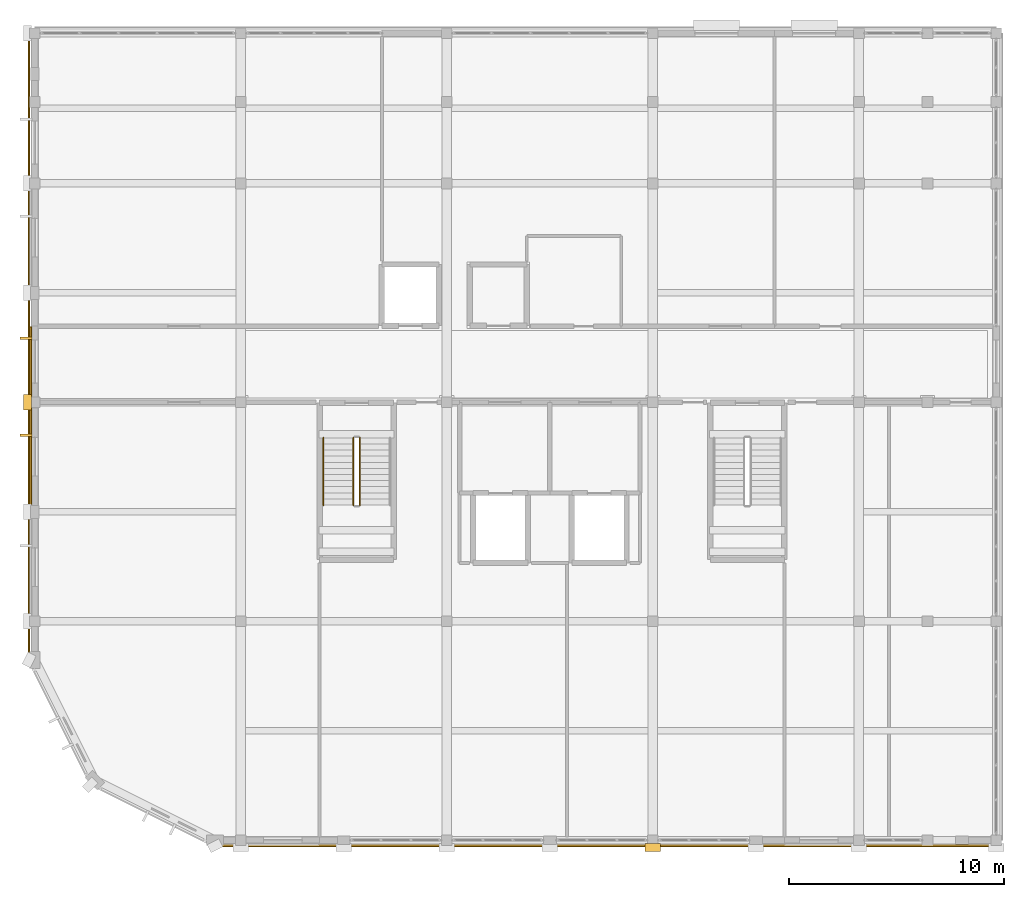
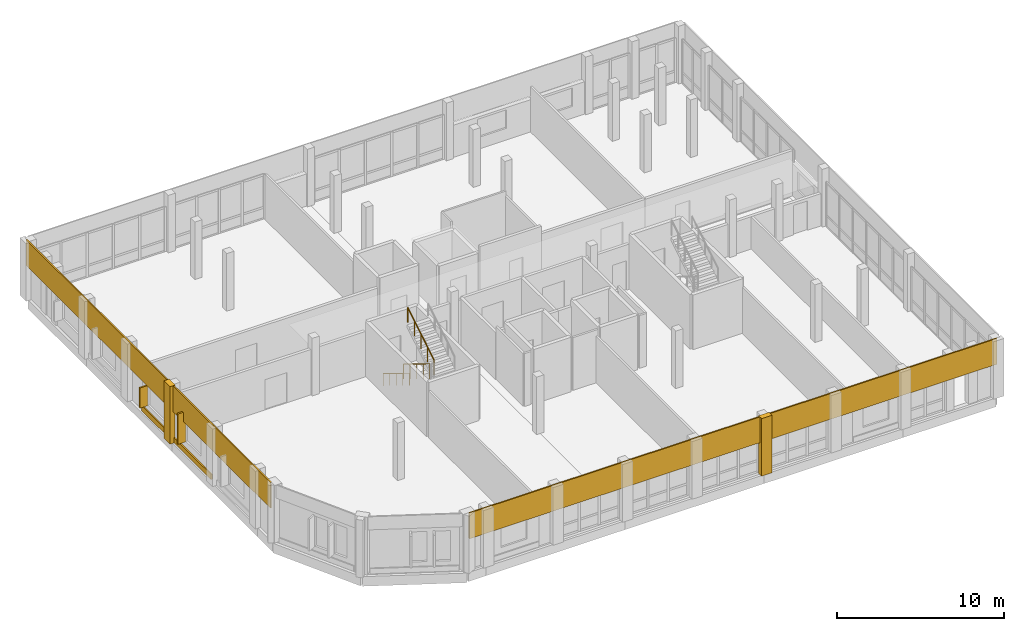
# One storey, part 25 of 29: 6 coverings, 3 railings, 2 shading devices.
"""IFC4 building model written with IfcOpenShell, lengths in metres."""

from ifc_helpers import new_model, si_unit, direction, frame, origin, origin_2d, place, context, subcontext, project, spatial, rectangle, circle, extrude, material, layer, layer_set, type_object, element, save


model = new_model("IFC4")

# Units and contexts
model_context = context("Model", 3, precision=1e-05, world=origin(), true_north=direction((0.0, 1.0)))
body_context = subcontext(model_context, "Body", "Model", "MODEL_VIEW")
ifc_project = project(units=[si_unit("LENGTHUNIT", "METRE"), si_unit("AREAUNIT", "SQUARE_METRE"), si_unit("VOLUMEUNIT", "CUBIC_METRE"), si_unit("PLANEANGLEUNIT", "RADIAN"), si_unit("MASSUNIT", "GRAM", prefix="KILO")], contexts=[model_context])

# Site, building, storey
site_placement = place(None, origin())
site = spatial("IfcSite", under=ifc_project, at=site_placement, CompositionType="ELEMENT")
building_placement = place(site_placement, origin())
building = spatial("IfcBuilding", under=site, at=building_placement, Name="Vondelvale Polytechnic", CompositionType="ELEMENT")
storey_placement = place(building_placement, frame((0.0, 0.0, 26.39990234375)))
storey = spatial("IfcBuildingStorey", under=building, at=storey_placement, Name="L06", CompositionType="ELEMENT", Elevation=26.39990234375)

# Coverings
ifc_material_1 = material(Name="Amsterdam School iron-spot clinker clay brickwork", Category="masonry")
ifc_layer_1 = layer(ifc_material_1, 0.090087890625)
ifc_layer_set_1 = layer_set([ifc_layer_1], Name="COV-BRICK-RELIEF")
covering_type = type_object("IfcCoveringType", Name="COV-BRICK-RELIEF", PredefinedType="CLADDING", material=ifc_layer_set_1)
covering_1_placement = place(storey_placement, frame((26.60009765625, -0.264892578125, 2.320068359375), z_axis=(0.0, 0.0, 1.0), x_axis=(1.0, 0.0, 0.0)))
element("IfcCovering", 1, at=covering_1_placement, inside=storey, type_object=covering_type, Name="L06 exterior masonry spandrel band", PredefinedType="CLADDING", context=body_context, shape_type="SweptSolid", body=[
    extrude(rectangle(XDim=36.39990234375, YDim=0.090087890625, at=origin_2d()), origin(), (0.0, 0.0, 1.0), 1.8798828125),
])
covering_2_placement = place(storey_placement, frame((-0.264892578125, 23.0, 2.320068359375), z_axis=(0.0, 0.0, 1.0), x_axis=(0.0, 1.0, 0.0)))
element("IfcCovering", 2, at=covering_2_placement, inside=storey, type_object=covering_type, Name="L06 exterior masonry spandrel band", PredefinedType="CLADDING", context=body_context, shape_type="SweptSolid", body=[
    extrude(rectangle(XDim=29.199951171875, YDim=0.090087890625, at=origin_2d()), origin(), (0.0, 0.0, 1.0), 1.8798828125),
])
covering_3_placement = place(storey_placement, frame((-0.19091796875, 17.875, 0.000244140625), z_axis=(0.0, 0.0, 1.0), x_axis=(0.0, 1.0, 0.0)))
element("IfcCovering", 3, at=covering_3_placement, inside=storey, type_object=covering_type, Name="L06 exterior corbelled masonry relief band", PredefinedType="CLADDING", context=body_context, shape_type="SweptSolid", body=[
    extrude(rectangle(XDim=4.488037109375, YDim=0.090087890625, at=origin_2d()), origin(), (0.0, 0.0, 1.0), 0.3798828125),
])
covering_4_placement = place(storey_placement, frame((-0.19091796875, 22.300537109375, 0.000244140625), z_axis=(0.0, 0.0, 1.0), x_axis=(0.0, 1.0, 0.0)))
element("IfcCovering", 4, at=covering_4_placement, inside=storey, type_object=covering_type, Name="L06 exterior corbelled masonry relief band", PredefinedType="CLADDING", context=body_context, shape_type="SweptSolid", body=[
    extrude(rectangle(XDim=3.239013671875, YDim=0.090087890625, at=origin_2d()), origin(), (0.0, 0.0, 1.0), 0.3798828125),
])
covering_5_placement = place(storey_placement, frame((28.800048828125, -0.340087890625, 0.0), z_axis=(0.0, 0.0, 1.0), x_axis=(1.0, 0.0, 0.0)))
element("IfcCovering", 5, at=covering_5_placement, inside=storey, type_object=covering_type, Name="L06 Classical street pilaster", PredefinedType="CLADDING", context=body_context, shape_type="SweptSolid", body=[
    extrude(rectangle(XDim=0.719970703125, YDim=0.360107421875, at=origin_2d()), origin(), (0.0, 0.0, 1.0), 4.199951171875),
])
covering_6_placement = place(storey_placement, frame((-0.340087890625, 20.39990234375, 0.0), z_axis=(0.0, 0.0, 1.0), x_axis=(1.0, 0.0, 0.0)))
element("IfcCovering", 6, at=covering_6_placement, inside=storey, type_object=covering_type, Name="L06 Classical street pilaster", PredefinedType="CLADDING", context=body_context, shape_type="SweptSolid", body=[
    extrude(rectangle(XDim=0.360107421875, YDim=0.719970703125, at=origin_2d()), origin(), (0.0, 0.0, 1.0), 4.199951171875),
])

# Railings
ifc_material_2 = material(Name="Brushed architectural stainless and zinc-coated metal")
ifc_layer_2 = layer(ifc_material_2, 0.050048828125)
ifc_layer_set_2 = layer_set([ifc_layer_2], Name="RL-STAIR-GUARD")
railing_type_1 = type_object("IfcRailingType", Name="RL-STAIR-GUARD", PredefinedType="GUARDRAIL", material=ifc_layer_set_2)
railing_1_placement = place(storey_placement, frame((14.85009765625, 18.75, 0.175048828125)))
element("IfcRailing", 7, at=railing_1_placement, inside=storey, type_object=railing_type_1, Name="L06 ST-03 stair guard 1", PredefinedType="GUARDRAIL", context=body_context, shape_type="SweptSolid", body=[
    extrude(circle(Radius=0.02392578125, at=origin_2d()), frame((0.0, 0.0, 1.076171875), z_axis=(0.0, -0.852166034122, 0.523271488128), x_axis=(1.0, 0.0, 0.0)), (0.0, 0.0, 1.0), 3.678955078125),
    extrude(circle(Radius=0.02099609375, at=origin_2d()), origin(), (0.0, 0.0, 1.0), 1.052001953125),
    extrude(circle(Radius=0.02099609375, at=origin_2d()), frame((0.0, -0.78369140625, 0.481201171875)), (0.0, 0.0, 1.0), 1.052001953125),
    extrude(circle(Radius=0.02099609375, at=origin_2d()), frame((0.0, -1.5673828125, 0.96240234375)), (0.0, 0.0, 1.0), 1.052001953125),
    extrude(circle(Radius=0.02099609375, at=origin_2d()), frame((0.0, -2.351318359375, 1.44384765625)), (0.0, 0.0, 1.0), 1.052001953125),
    extrude(circle(Radius=0.02099609375, at=origin_2d()), frame((0.0, -3.135009765625, 1.925048828125)), (0.0, 0.0, 1.0), 1.052001953125),
])
railing_2_placement = place(storey_placement, frame((15.14990234375, 15.614990234375, 2.275146484375)))
element("IfcRailing", 8, at=railing_2_placement, inside=storey, type_object=railing_type_1, Name="L06 ST-03 stair guard 3", PredefinedType="GUARDRAIL", context=body_context, shape_type="SweptSolid", body=[
    extrude(circle(Radius=0.02392578125, at=origin_2d()), frame((0.0, 0.0, 1.076171875), z_axis=(0.0, 0.852166034122, 0.523271488128), x_axis=(-1.0, 0.0, 0.0)), (0.0, 0.0, 1.0), 3.678955078125),
    extrude(circle(Radius=0.02099609375, at=origin_2d()), origin(), (0.0, 0.0, 1.0), 1.052001953125),
    extrude(circle(Radius=0.02099609375, at=origin_2d()), frame((0.0, 0.78369140625, 0.481201171875)), (0.0, 0.0, 1.0), 1.052001953125),
    extrude(circle(Radius=0.02099609375, at=origin_2d()), frame((0.0, 1.5673828125, 0.96240234375)), (0.0, 0.0, 1.0), 1.052001953125),
    extrude(circle(Radius=0.02099609375, at=origin_2d()), frame((0.0, 2.351318359375, 1.44384765625)), (0.0, 0.0, 1.0), 1.052001953125),
    extrude(circle(Radius=0.02099609375, at=origin_2d()), frame((0.0, 3.135009765625, 1.925048828125)), (0.0, 0.0, 1.0), 1.052001953125),
])
ifc_layer_3 = layer(ifc_material_2, 0.048095703125)
ifc_layer_set_3 = layer_set([ifc_layer_3], Name="RL-STAIR-HANDRAIL")
railing_type_2 = type_object("IfcRailingType", Name="RL-STAIR-HANDRAIL", PredefinedType="HANDRAIL", material=ifc_layer_set_3)
railing_3_placement = place(storey_placement, frame((13.449951171875, 18.75, 0.175048828125)))
element("IfcRailing", 9, at=railing_3_placement, inside=storey, type_object=railing_type_2, Name="L06 ST-03 stair handrail 1", PredefinedType="HANDRAIL", context=body_context, shape_type="SweptSolid", body=[
    extrude(circle(Radius=0.02392578125, at=origin_2d()), frame((0.0, 0.0, 0.8759765625), z_axis=(0.0, -0.852166034122, 0.523271488128), x_axis=(1.0, 0.0, 0.0)), (0.0, 0.0, 1.0), 3.678955078125),
    extrude(circle(Radius=0.02099609375, at=origin_2d()), origin(), (0.0, 0.0, 1.0), 0.851806640625),
    extrude(circle(Radius=0.02099609375, at=origin_2d()), frame((0.0, -0.78369140625, 0.481201171875)), (0.0, 0.0, 1.0), 0.851806640625),
    extrude(circle(Radius=0.02099609375, at=origin_2d()), frame((0.0, -1.5673828125, 0.96240234375)), (0.0, 0.0, 1.0), 0.851806640625),
    extrude(circle(Radius=0.02099609375, at=origin_2d()), frame((0.0, -2.351318359375, 1.44384765625)), (0.0, 0.0, 1.0), 0.851806640625),
    extrude(circle(Radius=0.02099609375, at=origin_2d()), frame((0.0, -3.135009765625, 1.925048828125)), (0.0, 0.0, 1.0), 0.851806640625),
])

# Shading devices
ifc_material_3 = material(Name="Kiln-fired architectural terracotta", Category="masonry")
shading_device_type = type_object("IfcShadingDeviceType", Name="SHD-TERRA-FIN-550", PredefinedType="JALOUSIE", material=ifc_material_3)
shading_device_1_placement = place(storey_placement, frame((-0.409912109375, 18.864990234375, 0.7900390625), z_axis=(0.0, 0.0, 1.0), x_axis=(0.0, 1.0, 0.0)))
element("IfcShadingDevice", 10, at=shading_device_1_placement, inside=storey, type_object=shading_device_type, Name="L06 vertical terracotta solar fin", PredefinedType="JALOUSIE", context=body_context, shape_type="SweptSolid", body=[
    extrude(rectangle(XDim=0.110107421875, YDim=0.550048828125, at=origin_2d()), origin(), (0.0, 0.0, 1.0), 2.219970703125),
])
shading_device_2_placement = place(storey_placement, frame((-0.409912109375, 23.390380859375, 0.68994140625), z_axis=(0.0, 0.0, 1.0), x_axis=(0.0, 1.0, 0.0)))
element("IfcShadingDevice", 11, at=shading_device_2_placement, inside=storey, type_object=shading_device_type, Name="L06 vertical terracotta solar fin", PredefinedType="JALOUSIE", context=body_context, shape_type="SweptSolid", body=[
    extrude(rectangle(XDim=0.110107421875, YDim=0.550048828125, at=origin_2d()), origin(), (0.0, 0.0, 1.0), 1.469970703125),
])

save(model, "model.ifc")
